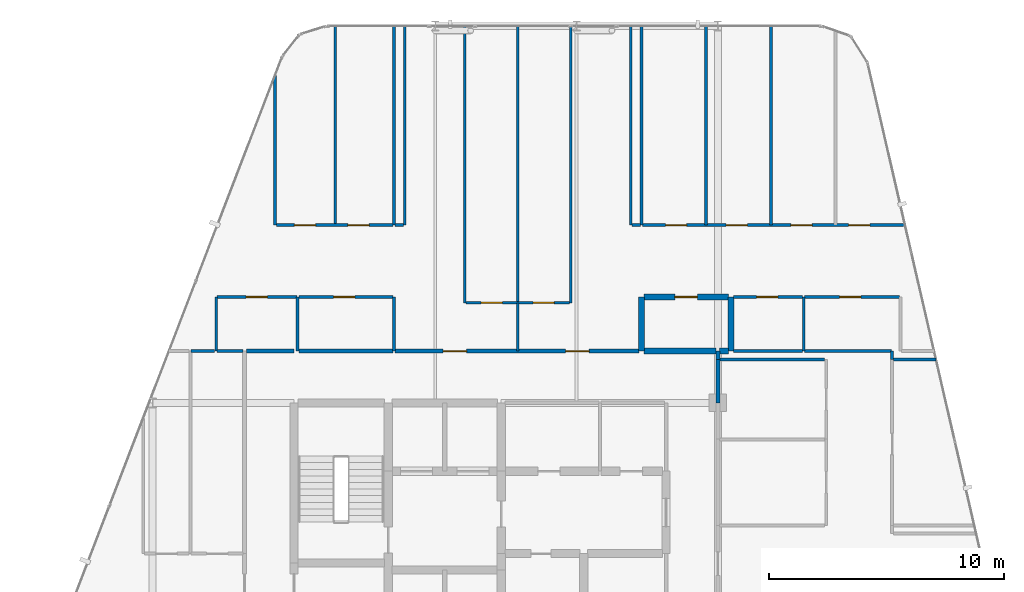
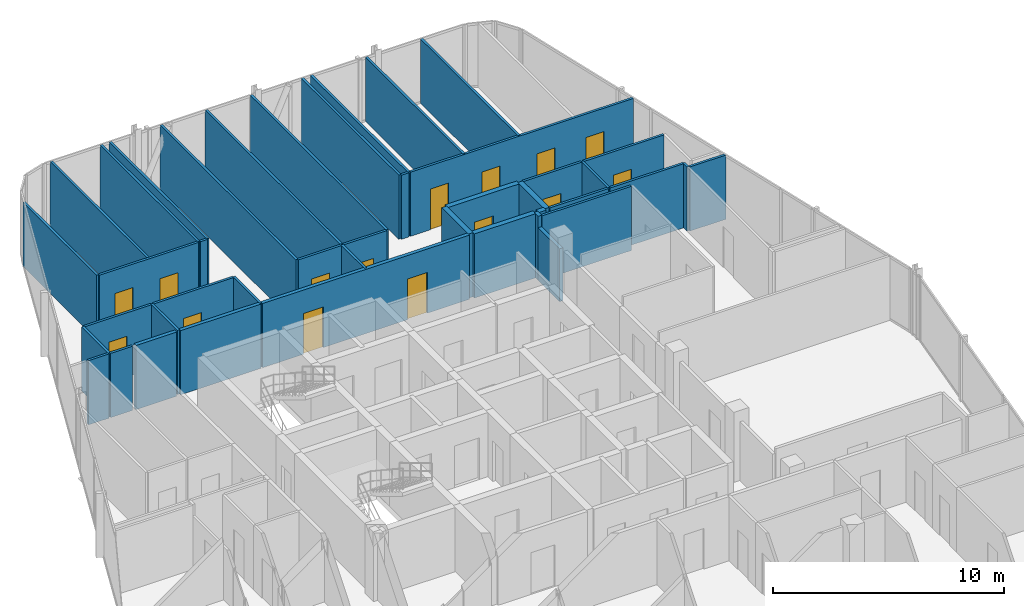
# One storey, part 26 of 28: 42 walls, 15 doors, 15 openings.
"""IFC4 building model written with IfcOpenShell, lengths in metres."""

from ifc_helpers import new_model, si_unit, direction, frame, frame_2d, origin, place, context, subcontext, project, spatial, rectangle, extrude, material, layer, layer_set, type_object, element, fill, save


model = new_model("IFC4")

# Units and contexts
model_context = context("Model", 3, precision=1e-05, world=origin(), true_north=direction((0.0, 1.0)))
body_context = subcontext(model_context, "Body", "Model", "MODEL_VIEW")
ifc_project = project(units=[si_unit("LENGTHUNIT", "METRE"), si_unit("AREAUNIT", "SQUARE_METRE"), si_unit("VOLUMEUNIT", "CUBIC_METRE"), si_unit("PLANEANGLEUNIT", "RADIAN"), si_unit("MASSUNIT", "GRAM", prefix="KILO")], contexts=[model_context])

# Site, building, storey
site_placement = place(None, origin())
site = spatial("IfcSite", under=ifc_project, at=site_placement, CompositionType="ELEMENT")
building_placement = place(site_placement, origin())
building = spatial("IfcBuilding", under=site, at=building_placement, Name="Keshet Zoharim Tower", CompositionType="ELEMENT")
storey_placement = place(building_placement, frame((0.0, 0.0, 251.0)))
storey = spatial("IfcBuildingStorey", under=building, at=storey_placement, Name="L62", CompositionType="ELEMENT", Elevation=251.0)

# Walls
ifc_material_1 = material(Name="Gypsum Plasterboard", Category="gypsum")
ifc_layer_1 = layer(ifc_material_1, 0.179931640625)
ifc_layer_set_1 = layer_set([ifc_layer_1], Name="Gypsum Plasterboard")
wall_type_1 = type_object("IfcWallType", Name="WL-CORR-180", PredefinedType="STANDARD", material=ifc_layer_set_1)
wall_1_placement = place(storey_placement, frame((33.0, 39.75, 0.0), z_axis=(0.0, 0.0, 1.0), x_axis=(0.0, 1.0, 0.0)))
element("IfcWall", 1, at=wall_1_placement, inside=storey, type_object=wall_type_1, Name="L62 Interior Wall 078", PredefinedType="STANDARD", context=body_context, shape_type="SweptSolid", body=[
    extrude(rectangle(XDim=0.35009765625, YDim=0.179931640625, at=frame_2d((0.175048828125, 0.0))), origin(), (0.0, 0.0, 1.0), 3.389892578125),
])
wall_2_placement = place(storey_placement, frame((12.97509765625, 40.10009765625, 0.0), z_axis=(0.0, 0.0, 1.0), x_axis=(1.0, 0.0, 0.0)))
element("IfcWall", 2, at=wall_2_placement, inside=storey, type_object=wall_type_1, Name="L62 Interior Wall 165", PredefinedType="STANDARD", context=body_context, shape_type="SweptSolid", body=[
    extrude(rectangle(XDim=2.02490234375, YDim=0.179931640625, at=frame_2d((1.012451171875, 0.0))), origin(), (0.0, 0.0, 1.0), 3.389892578125),
])
wall_3_placement = place(storey_placement, frame((15.20703125, 40.10009765625, 0.0), z_axis=(0.0, 0.0, 1.0), x_axis=(1.0, 0.0, 0.0)))
element("IfcWall", 3, at=wall_3_placement, inside=storey, type_object=wall_type_1, Name="L62 Interior Wall 166", PredefinedType="STANDARD", context=body_context, shape_type="SweptSolid", body=[
    extrude(rectangle(XDim=3.998046875, YDim=0.179931640625, at=frame_2d((1.9990234375, 0.0))), origin(), (0.0, 0.0, 1.0), 3.389892578125),
])

# Wall, openings, doors
wall_4_placement = place(storey_placement, frame((19.294921875, 40.10009765625, 0.0), z_axis=(0.0, 0.0, 1.0), x_axis=(1.0, 0.0, 0.0)))
wall_4 = element("IfcWall", 4, at=wall_4_placement, inside=storey, type_object=wall_type_1, Name="L62 Interior Wall 167", PredefinedType="STANDARD", context=body_context, shape_type="SweptSolid", body=[
    extrude(rectangle(XDim=10.344970703125, YDim=0.179931640625, at=frame_2d((5.17236328125, 0.0))), origin(), (0.0, 0.0, 1.0), 3.389892578125),
])
opening_1_placement = place(wall_4_placement, frame((2.034912109375, 0.0, 0.0)))
opening_1 = element("IfcOpeningElement", 5, at=opening_1_placement, cuts=wall_4, Name="Opening D-F310", PredefinedType="OPENING", context=body_context, shape_type="SweptSolid", body=[
    extrude(rectangle(XDim=1.0, YDim=2.14990234375, at=frame_2d((0.5, 1.074951171875))), frame((0.0, 0.10009765625, 0.0), z_axis=(0.0, -1.0, 0.0), x_axis=(1.0, 0.0, 0.0)), (0.0, 0.0, 1.0), 0.199951171875),
])
opening_2_placement = place(wall_4_placement, frame((7.235107421875, 0.0, 0.0)))
opening_2 = element("IfcOpeningElement", 6, at=opening_2_placement, cuts=wall_4, Name="Opening D-F310", PredefinedType="OPENING", context=body_context, shape_type="SweptSolid", body=[
    extrude(rectangle(XDim=1.0, YDim=2.14990234375, at=frame_2d((0.5, 1.074951171875))), frame((0.0, 0.10009765625, 0.0), z_axis=(0.0, -1.0, 0.0), x_axis=(1.0, 0.0, 0.0)), (0.0, 0.0, 1.0), 0.199951171875),
])
ifc_material_2 = material(Name="Hardwood Timber", Category="wood")
door_type_1 = type_object("IfcDoorType", Name="DR-FD30-100", OperationType="NOTDEFINED", PredefinedType="DOOR", material=ifc_material_2)
door_1_placement = place(opening_1_placement, origin())
door_1 = element("IfcDoor", 7, at=door_1_placement, inside=storey, type_object=door_type_1, Name="Apartment 6205 Entrance Door", OperationType="SINGLE_SWING_RIGHT", OverallHeight=2.14990234375, OverallWidth=1.0, PredefinedType="DOOR", context=body_context, shape_type="SweptSolid", body=[
    extrude(rectangle(XDim=1.0, YDim=2.14990234375, at=frame_2d((0.5, 1.074951171875))), frame((0.0, 0.02490234375, 0.0), z_axis=(0.0, -1.0, 0.0), x_axis=(1.0, 0.0, 0.0)), (0.0, 0.0, 1.0), 0.050048828125),
])
fill(opening_1, door_1)
door_2_placement = place(opening_2_placement, origin())
door_2 = element("IfcDoor", 8, at=door_2_placement, inside=storey, type_object=door_type_1, Name="Apartment 6206 Entrance Door", OperationType="SINGLE_SWING_LEFT", OverallHeight=2.14990234375, OverallWidth=1.0, PredefinedType="DOOR", context=body_context, shape_type="SweptSolid", body=[
    extrude(rectangle(XDim=1.0, YDim=2.14990234375, at=frame_2d((0.5, 1.074951171875))), frame((0.0, 0.02490234375, 0.0), z_axis=(0.0, -1.0, 0.0), x_axis=(1.0, 0.0, 0.0)), (0.0, 0.0, 1.0), 0.050048828125),
])
fill(opening_2, door_2)

# Walls
wall_5_placement = place(storey_placement, frame((33.0, 37.89990234375, 0.0), z_axis=(0.0, 0.0, 1.0), x_axis=(0.0, 1.0, 0.0)))
element("IfcWall", 9, at=wall_5_placement, inside=storey, type_object=wall_type_1, Name="L62 Interior Wall 077 Part 2", PredefinedType="STANDARD", context=body_context, shape_type="SweptSolid", body=[
    extrude(rectangle(XDim=1.85009765625, YDim=0.179931640625, at=frame_2d((0.925048828125, 0.0))), origin(), (0.0, 0.0, 1.0), 2.7900390625),
])
ifc_material_3 = material(Name="Concrete C50/60", Category="concrete")
ifc_layer_2 = layer(ifc_material_3, 0.25)
ifc_layer_set_2 = layer_set([ifc_layer_2], Name="Concrete C50/60")
wall_type_2 = type_object("IfcWallType", Name="WL-MAMAD-250", PredefinedType="STANDARD", material=ifc_layer_set_2)
for number, where, z_axis, x_axis, name in (
    (10, (29.75, 40.10009765625, 0.0), (0.0, 0.0, 1.0), (0.0, 1.0, 0.0), "L62 Interior Wall 065"),
    (11, (33.550048828125, 40.10009765625, 0.0), (0.0, 0.0, 1.0), (0.0, 1.0, 0.0), "L62 Interior Wall 079"),
):
    element("IfcWall", number, at=place(storey_placement, frame(where, z_axis=z_axis, x_axis=x_axis)), inside=storey, type_object=wall_type_2, Name=name, PredefinedType="STANDARD", context=body_context, shape_type="SweptSolid", body=[
        extrude(rectangle(XDim=2.2998046875, YDim=0.25, at=frame_2d((1.14990234375, 0.0))), origin(), (0.0, 0.0, 1.0), 3.389892578125),
    ])
wall_6_placement = place(storey_placement, frame((29.860107421875, 40.10009765625, 0.0), z_axis=(0.0, 0.0, 1.0), x_axis=(1.0, 0.0, 0.0)))
element("IfcWall", 12, at=wall_6_placement, inside=storey, type_object=wall_type_2, Name="L62 Interior Wall 168", PredefinedType="STANDARD", context=body_context, shape_type="SweptSolid", body=[
    extrude(rectangle(XDim=3.06494140625, YDim=0.25, at=frame_2d((1.532470703125, 0.0))), origin(), (0.0, 0.0, 1.0), 3.389892578125),
])
wall_7_placement = place(storey_placement, frame((33.074951171875, 40.10009765625, 0.0), z_axis=(0.0, 0.0, 1.0), x_axis=(1.0, 0.0, 0.0)))
element("IfcWall", 13, at=wall_7_placement, inside=storey, type_object=wall_type_2, Name="L62 Interior Wall 169", PredefinedType="STANDARD", context=body_context, shape_type="SweptSolid", body=[
    extrude(rectangle(XDim=0.37109375, YDim=0.25, at=frame_2d((0.185546875, 0.0))), origin(), (0.0, 0.0, 1.0), 3.389892578125),
])

# Wall, opening, door
wall_8_placement = place(storey_placement, frame((29.860107421875, 42.39990234375, 0.0), z_axis=(0.0, 0.0, 1.0), x_axis=(1.0, 0.0, 0.0)))
wall_8 = element("IfcWall", 14, at=wall_8_placement, inside=storey, type_object=wall_type_2, Name="L62 Interior Wall 176", PredefinedType="STANDARD", context=body_context, shape_type="SweptSolid", body=[
    extrude(rectangle(XDim=3.5859375, YDim=0.25, at=frame_2d((1.79296875, 0.0))), origin(), (0.0, 0.0, 1.0), 3.389892578125),
])
opening_3_placement = place(wall_8_placement, frame((1.318115234375, 0.0, 0.0)))
opening_3 = element("IfcOpeningElement", 15, at=opening_3_placement, cuts=wall_8, Name="Opening D-F695", PredefinedType="OPENING", context=body_context, shape_type="SweptSolid", body=[
    extrude(rectangle(XDim=0.949951171875, YDim=2.14990234375, at=frame_2d((0.47509765625, 1.074951171875))), frame((0.0, 0.135009765625, 0.0), z_axis=(0.0, -1.0, 0.0), x_axis=(1.0, 0.0, 0.0)), (0.0, 0.0, 1.0), 0.27001953125),
])
door_type_2 = type_object("IfcDoorType", Name="DR-FD60-095", OperationType="NOTDEFINED", PredefinedType="DOOR", material=ifc_material_2)
door_3_placement = place(opening_3_placement, origin())
door_3 = element("IfcDoor", 16, at=door_3_placement, inside=storey, type_object=door_type_2, Name="Apartment 6206 Study and Shelter Room Door", OperationType="SINGLE_SWING_RIGHT", OverallHeight=2.14990234375, OverallWidth=0.949951171875, PredefinedType="DOOR", context=body_context, shape_type="SweptSolid", body=[
    extrude(rectangle(XDim=0.949951171875, YDim=2.14990234375, at=frame_2d((0.47509765625, 1.074951171875))), frame((0.0, 0.02490234375, 0.0), z_axis=(0.0, -1.0, 0.0), x_axis=(1.0, 0.0, 0.0)), (0.0, 0.0, 1.0), 0.050048828125),
])
fill(opening_3, door_3)

# Walls
ifc_layer_3 = layer(ifc_material_1, 0.1201171875)
ifc_layer_set_3 = layer_set([ifc_layer_3], Name="Gypsum Plasterboard")
wall_type_3 = type_object("IfcWallType", Name="WL-PART-120", PredefinedType="PARTITIONING", material=ifc_layer_set_3)
wall_9_placement = place(storey_placement, frame((11.699951171875, 40.10009765625, 0.0), z_axis=(0.0, 0.0, 1.0), x_axis=(0.0, 1.0, 0.0)))
element("IfcWall", 17, at=wall_9_placement, inside=storey, type_object=wall_type_3, Name="L62 Interior Wall 009", PredefinedType="PARTITIONING", context=body_context, shape_type="SweptSolid", body=[
    extrude(rectangle(XDim=2.2998046875, YDim=0.1201171875, at=frame_2d((1.14990234375, 0.0))), origin(), (0.0, 0.0, 1.0), 3.389892578125),
])
wall_10_placement = place(storey_placement, frame((14.199951171875, 45.449951171875, 0.0), z_axis=(0.0, 0.0, 1.0), x_axis=(0.0, 1.0, 0.0)))
element("IfcWall", 18, at=wall_10_placement, inside=storey, type_object=wall_type_3, Name="L62 Interior Wall 019", PredefinedType="PARTITIONING", context=body_context, shape_type="SweptSolid", body=[
    extrude(rectangle(XDim=6.360107421875, YDim=0.1201171875, at=frame_2d((3.18017578125, 0.0))), origin(), (0.0, 0.0, 1.0), 3.389892578125),
])
for number, where, z_axis, x_axis, name in (
    (19, (16.75, 45.449951171875, 0.0), (0.0, 0.0, 1.0), (0.0, 1.0, 0.0), "L62 Interior Wall 025"),
    (20, (19.25, 45.449951171875, 0.0), (0.0, 0.0, 1.0), (0.0, 1.0, 0.0), "L62 Interior Wall 033"),
    (21, (19.699951171875, 45.449951171875, 0.0), (0.0, 0.0, 1.0), (0.0, 1.0, 0.0), "L62 Interior Wall 034"),
):
    element("IfcWall", number, at=place(storey_placement, frame(where, z_axis=z_axis, x_axis=x_axis)), inside=storey, type_object=wall_type_3, Name=name, PredefinedType="PARTITIONING", context=body_context, shape_type="SweptSolid", body=[
        extrude(rectangle(XDim=8.43994140625, YDim=0.1201171875, at=frame_2d((4.219970703125, 0.0))), origin(), (0.0, 0.0, 1.0), 3.389892578125),
    ])
wall_11_placement = place(storey_placement, frame((22.25, 42.14990234375, 0.0), z_axis=(0.0, 0.0, 1.0), x_axis=(0.0, 1.0, 0.0)))
element("IfcWall", 22, at=wall_11_placement, inside=storey, type_object=wall_type_3, Name="L62 Interior Wall 040", PredefinedType="PARTITIONING", context=body_context, shape_type="SweptSolid", body=[
    extrude(rectangle(XDim=11.739990234375, YDim=0.1201171875, at=frame_2d((5.8701171875, 0.0))), origin(), (0.0, 0.0, 1.0), 3.389892578125),
])
wall_12_placement = place(storey_placement, frame((24.5, 40.10009765625, 0.0), z_axis=(0.0, 0.0, 1.0), x_axis=(0.0, 1.0, 0.0)))
element("IfcWall", 23, at=wall_12_placement, inside=storey, type_object=wall_type_3, Name="L62 Interior Wall 048", PredefinedType="PARTITIONING", context=body_context, shape_type="SweptSolid", body=[
    extrude(rectangle(XDim=2.0498046875, YDim=0.1201171875, at=frame_2d((1.02490234375, 0.0))), origin(), (0.0, 0.0, 1.0), 3.389892578125),
])
for number, where, z_axis, x_axis, name in (
    (24, (24.5, 42.14990234375, 0.0), (0.0, 0.0, 1.0), (0.0, 1.0, 0.0), "L62 Interior Wall 049"),
    (25, (26.75, 42.14990234375, 0.0), (0.0, 0.0, 1.0), (0.0, 1.0, 0.0), "L62 Interior Wall 054"),
):
    element("IfcWall", number, at=place(storey_placement, frame(where, z_axis=z_axis, x_axis=x_axis)), inside=storey, type_object=wall_type_3, Name=name, PredefinedType="PARTITIONING", context=body_context, shape_type="SweptSolid", body=[
        extrude(rectangle(XDim=11.739990234375, YDim=0.1201171875, at=frame_2d((5.8701171875, 0.0))), origin(), (0.0, 0.0, 1.0), 3.389892578125),
    ])
for number, where, z_axis, x_axis, name in (
    (26, (29.300048828125, 45.449951171875, 0.0), (0.0, 0.0, 1.0), (0.0, 1.0, 0.0), "L62 Interior Wall 061"),
    (27, (29.75, 45.449951171875, 0.0), (0.0, 0.0, 1.0), (0.0, 1.0, 0.0), "L62 Interior Wall 066"),
    (28, (32.5, 45.449951171875, 0.0), (0.0, 0.0, 1.0), (0.0, 1.0, 0.0), "L62 Interior Wall 073"),
    (29, (35.25, 45.449951171875, 0.0), (0.0, 0.0, 1.0), (0.0, 1.0, 0.0), "L62 Interior Wall 083"),
):
    element("IfcWall", number, at=place(storey_placement, frame(where, z_axis=z_axis, x_axis=x_axis)), inside=storey, type_object=wall_type_3, Name=name, PredefinedType="PARTITIONING", context=body_context, shape_type="SweptSolid", body=[
        extrude(rectangle(XDim=8.43994140625, YDim=0.1201171875, at=frame_2d((4.219970703125, 0.0))), origin(), (0.0, 0.0, 1.0), 3.389892578125),
    ])
wall_13_placement = place(storey_placement, frame((40.39990234375, 39.75, 0.0), z_axis=(0.0, 0.0, 1.0), x_axis=(0.0, 1.0, 0.0)))
element("IfcWall", 30, at=wall_13_placement, inside=storey, type_object=wall_type_3, Name="L62 Interior Wall 093", PredefinedType="PARTITIONING", context=body_context, shape_type="SweptSolid", body=[
    extrude(rectangle(XDim=0.35009765625, YDim=0.1201171875, at=frame_2d((0.175048828125, 0.0))), origin(), (0.0, 0.0, 1.0), 3.389892578125),
])
wall_14_placement = place(storey_placement, frame((40.465087890625, 39.75, 0.0), z_axis=(0.0, 0.0, 1.0), x_axis=(1.0, 0.0, 0.0)))
element("IfcWall", 31, at=wall_14_placement, inside=storey, type_object=wall_type_3, Name="L62 Interior Wall 161", PredefinedType="PARTITIONING", context=body_context, shape_type="SweptSolid", body=[
    extrude(rectangle(XDim=1.789794921875, YDim=0.1201171875, at=frame_2d((0.89501953125, 0.0))), origin(), (0.0, 0.0, 1.0), 3.389892578125),
])
wall_15_placement = place(storey_placement, frame((36.680908203125, 40.10009765625, 0.0), z_axis=(0.0, 0.0, 1.0), x_axis=(1.0, 0.0, 0.0)))
element("IfcWall", 32, at=wall_15_placement, inside=storey, type_object=wall_type_3, Name="L62 Interior Wall 171", PredefinedType="PARTITIONING", context=body_context, shape_type="SweptSolid", body=[
    extrude(rectangle(XDim=3.694091796875, YDim=0.1201171875, at=frame_2d((1.84716796875, 0.0))), origin(), (0.0, 0.0, 1.0), 3.389892578125),
])

# Wall, openings, doors
wall_16_placement = place(storey_placement, frame((22.294921875, 42.14990234375, 0.0), z_axis=(0.0, 0.0, 1.0), x_axis=(1.0, 0.0, 0.0)))
wall_16 = element("IfcWall", 33, at=wall_16_placement, inside=storey, type_object=wall_type_3, Name="L62 Interior Wall 173", PredefinedType="PARTITIONING", context=body_context, shape_type="SweptSolid", body=[
    extrude(rectangle(XDim=4.41015625, YDim=0.1201171875, at=frame_2d((2.205078125, 0.0))), origin(), (0.0, 0.0, 1.0), 3.389892578125),
])
opening_4_placement = place(wall_16_placement, frame((0.655029296875, 0.0, 0.0)))
opening_4 = element("IfcOpeningElement", 34, at=opening_4_placement, cuts=wall_16, Name="Opening D-IN90", PredefinedType="OPENING", context=body_context, shape_type="SweptSolid", body=[
    extrude(rectangle(XDim=0.89990234375, YDim=2.14990234375, at=frame_2d((0.449951171875, 1.074951171875))), frame((0.0, 0.070068359375, 0.0), z_axis=(0.0, -1.0, 0.0), x_axis=(1.0, 0.0, 0.0)), (0.0, 0.0, 1.0), 0.14013671875),
])
opening_5_placement = place(wall_16_placement, frame((2.85498046875, 0.0, 0.0)))
opening_5 = element("IfcOpeningElement", 35, at=opening_5_placement, cuts=wall_16, Name="Opening D-IN90", PredefinedType="OPENING", context=body_context, shape_type="SweptSolid", body=[
    extrude(rectangle(XDim=0.89990234375, YDim=2.14990234375, at=frame_2d((0.449951171875, 1.074951171875))), frame((0.0, 0.070068359375, 0.0), z_axis=(0.0, -1.0, 0.0), x_axis=(1.0, 0.0, 0.0)), (0.0, 0.0, 1.0), 0.14013671875),
])
door_type_3 = type_object("IfcDoorType", Name="DR-INT-090", OperationType="NOTDEFINED", PredefinedType="DOOR", material=ifc_material_2)
door_4_placement = place(opening_4_placement, origin())
door_4 = element("IfcDoor", 36, at=door_4_placement, inside=storey, type_object=door_type_3, Name="Apartment 6205 Formal Dining Room Door", OperationType="SINGLE_SWING_RIGHT", OverallHeight=2.14990234375, OverallWidth=0.89990234375, PredefinedType="DOOR", context=body_context, shape_type="SweptSolid", body=[
    extrude(rectangle(XDim=0.89990234375, YDim=2.14990234375, at=frame_2d((0.449951171875, 1.074951171875))), frame((0.0, 0.02490234375, 0.0), z_axis=(0.0, -1.0, 0.0), x_axis=(1.0, 0.0, 0.0)), (0.0, 0.0, 1.0), 0.050048828125),
])
fill(opening_4, door_4)
door_5_placement = place(opening_5_placement, origin())
door_5 = element("IfcDoor", 37, at=door_5_placement, inside=storey, type_object=door_type_3, Name="Apartment 6206 Formal Dining Room Door", OperationType="SINGLE_SWING_LEFT", OverallHeight=2.14990234375, OverallWidth=0.89990234375, PredefinedType="DOOR", context=body_context, shape_type="SweptSolid", body=[
    extrude(rectangle(XDim=0.89990234375, YDim=2.14990234375, at=frame_2d((0.449951171875, 1.074951171875))), frame((0.0, 0.02490234375, 0.0), z_axis=(0.0, -1.0, 0.0), x_axis=(1.0, 0.0, 0.0)), (0.0, 0.0, 1.0), 0.050048828125),
])
fill(opening_5, door_5)

# Wall, opening, door
wall_17_placement = place(storey_placement, frame((11.72412109375, 42.39990234375, 0.0), z_axis=(0.0, 0.0, 1.0), x_axis=(1.0, 0.0, 0.0)))
wall_17 = element("IfcWall", 38, at=wall_17_placement, inside=storey, type_object=wall_type_3, Name="L62 Interior Wall 174", PredefinedType="PARTITIONING", context=body_context, shape_type="SweptSolid", body=[
    extrude(rectangle(XDim=3.392822265625, YDim=0.1201171875, at=frame_2d((1.6962890625, 0.0))), origin(), (0.0, 0.0, 1.0), 3.389892578125),
])
opening_6_placement = place(wall_17_placement, frame((1.2470703125, 0.0, 0.0)))
opening_6 = element("IfcOpeningElement", 39, at=opening_6_placement, cuts=wall_17, Name="Opening D-IN90", PredefinedType="OPENING", context=body_context, shape_type="SweptSolid", body=[
    extrude(rectangle(XDim=0.89990234375, YDim=2.14990234375, at=frame_2d((0.449951171875, 1.074951171875))), frame((0.0, 0.070068359375, 0.0), z_axis=(0.0, -1.0, 0.0), x_axis=(1.0, 0.0, 0.0)), (0.0, 0.0, 1.0), 0.14013671875),
])
door_6_placement = place(opening_6_placement, origin())
door_6 = element("IfcDoor", 40, at=door_6_placement, inside=storey, type_object=door_type_3, Name="Apartment 6205 Kitchen Door", OperationType="SINGLE_SWING_RIGHT", OverallHeight=2.14990234375, OverallWidth=0.89990234375, PredefinedType="DOOR", context=body_context, shape_type="SweptSolid", body=[
    extrude(rectangle(XDim=0.89990234375, YDim=2.14990234375, at=frame_2d((0.449951171875, 1.074951171875))), frame((0.0, 0.02490234375, 0.0), z_axis=(0.0, -1.0, 0.0), x_axis=(1.0, 0.0, 0.0)), (0.0, 0.0, 1.0), 0.050048828125),
])
fill(opening_6, door_6)

wall_18_placement = place(storey_placement, frame((36.680908203125, 42.39990234375, 0.0), z_axis=(0.0, 0.0, 1.0), x_axis=(1.0, 0.0, 0.0)))
wall_18 = element("IfcWall", 41, at=wall_18_placement, inside=storey, type_object=wall_type_3, Name="L62 Interior Wall 178", PredefinedType="PARTITIONING", context=body_context, shape_type="SweptSolid", body=[
    extrude(rectangle(XDim=4.025146484375, YDim=0.1201171875, at=frame_2d((2.0126953125, 0.0))), origin(), (0.0, 0.0, 1.0), 3.389892578125),
])
opening_7_placement = place(wall_18_placement, frame((1.490966796875, 0.0, 0.0)))
opening_7 = element("IfcOpeningElement", 42, at=opening_7_placement, cuts=wall_18, Name="Opening D-IN90", PredefinedType="OPENING", context=body_context, shape_type="SweptSolid", body=[
    extrude(rectangle(XDim=0.89990234375, YDim=2.14990234375, at=frame_2d((0.449951171875, 1.074951171875))), frame((0.0, 0.070068359375, 0.0), z_axis=(0.0, -1.0, 0.0), x_axis=(1.0, 0.0, 0.0)), (0.0, 0.0, 1.0), 0.14013671875),
])
door_7_placement = place(opening_7_placement, origin())
door_7 = element("IfcDoor", 43, at=door_7_placement, inside=storey, type_object=door_type_3, Name="Apartment 6206 Kitchen Door", OperationType="SINGLE_SWING_RIGHT", OverallHeight=2.14990234375, OverallWidth=0.89990234375, PredefinedType="DOOR", context=body_context, shape_type="SweptSolid", body=[
    extrude(rectangle(XDim=0.89990234375, YDim=2.14990234375, at=frame_2d((0.449951171875, 1.074951171875))), frame((0.0, 0.02490234375, 0.0), z_axis=(0.0, -1.0, 0.0), x_axis=(1.0, 0.0, 0.0)), (0.0, 0.0, 1.0), 0.050048828125),
])
fill(opening_7, door_7)

# Wall, openings, doors
wall_19_placement = place(storey_placement, frame((14.248046875, 45.449951171875, 0.0), z_axis=(0.0, 0.0, 1.0), x_axis=(1.0, 0.0, 0.0)))
wall_19 = element("IfcWall", 44, at=wall_19_placement, inside=storey, type_object=wall_type_3, Name="L62 Interior Wall 179", PredefinedType="PARTITIONING", context=body_context, shape_type="SweptSolid", body=[
    extrude(rectangle(XDim=4.95703125, YDim=0.1201171875, at=frame_2d((2.478515625, 0.0))), origin(), (0.0, 0.0, 1.0), 3.389892578125),
])
opening_8_placement = place(wall_19_placement, frame((0.77099609375, 0.0, 0.0)))
opening_8 = element("IfcOpeningElement", 45, at=opening_8_placement, cuts=wall_19, Name="Opening D-IN90", PredefinedType="OPENING", context=body_context, shape_type="SweptSolid", body=[
    extrude(rectangle(XDim=0.89990234375, YDim=2.14990234375, at=frame_2d((0.449951171875, 1.074951171875))), frame((0.0, 0.070068359375, 0.0), z_axis=(0.0, -1.0, 0.0), x_axis=(1.0, 0.0, 0.0)), (0.0, 0.0, 1.0), 0.14013671875),
])
opening_9_placement = place(wall_19_placement, frame((3.0400390625, 0.0, 0.0)))
opening_9 = element("IfcOpeningElement", 46, at=opening_9_placement, cuts=wall_19, Name="Opening D-IN90", PredefinedType="OPENING", context=body_context, shape_type="SweptSolid", body=[
    extrude(rectangle(XDim=0.89990234375, YDim=2.14990234375, at=frame_2d((0.449951171875, 1.074951171875))), frame((0.0, 0.070068359375, 0.0), z_axis=(0.0, -1.0, 0.0), x_axis=(1.0, 0.0, 0.0)), (0.0, 0.0, 1.0), 0.14013671875),
])
door_8_placement = place(opening_8_placement, origin())
door_8 = element("IfcDoor", 47, at=door_8_placement, inside=storey, type_object=door_type_3, Name="Apartment 6205 Bedroom 2 Door", OperationType="SINGLE_SWING_LEFT", OverallHeight=2.14990234375, OverallWidth=0.89990234375, PredefinedType="DOOR", context=body_context, shape_type="SweptSolid", body=[
    extrude(rectangle(XDim=0.89990234375, YDim=2.14990234375, at=frame_2d((0.449951171875, 1.074951171875))), frame((0.0, 0.02490234375, 0.0), z_axis=(0.0, -1.0, 0.0), x_axis=(1.0, 0.0, 0.0)), (0.0, 0.0, 1.0), 0.050048828125),
])
fill(opening_8, door_8)
door_9_placement = place(opening_9_placement, origin())
door_9 = element("IfcDoor", 48, at=door_9_placement, inside=storey, type_object=door_type_3, Name="Apartment 6205 Bedroom 3 Door", OperationType="SINGLE_SWING_RIGHT", OverallHeight=2.14990234375, OverallWidth=0.89990234375, PredefinedType="DOOR", context=body_context, shape_type="SweptSolid", body=[
    extrude(rectangle(XDim=0.89990234375, YDim=2.14990234375, at=frame_2d((0.449951171875, 1.074951171875))), frame((0.0, 0.02490234375, 0.0), z_axis=(0.0, -1.0, 0.0), x_axis=(1.0, 0.0, 0.0)), (0.0, 0.0, 1.0), 0.050048828125),
])
fill(opening_9, door_9)

# Walls
for number, where, z_axis, x_axis, name in (
    (49, (19.294921875, 45.449951171875, 0.0), (0.0, 0.0, 1.0), (1.0, 0.0, 0.0), "L62 Interior Wall 180"),
    (50, (29.344970703125, 45.449951171875, 0.0), (0.0, 0.0, 1.0), (1.0, 0.0, 0.0), "L62 Interior Wall 181"),
):
    element("IfcWall", number, at=place(storey_placement, frame(where, z_axis=z_axis, x_axis=x_axis)), inside=storey, type_object=wall_type_3, Name=name, PredefinedType="PARTITIONING", context=body_context, shape_type="SweptSolid", body=[
        extrude(rectangle(XDim=0.360107421875, YDim=0.1201171875, at=frame_2d((0.18017578125, 0.0))), origin(), (0.0, 0.0, 1.0), 3.389892578125),
    ])

# Wall, openings, doors
wall_20_placement = place(storey_placement, frame((29.794921875, 45.449951171875, 0.0), z_axis=(0.0, 0.0, 1.0), x_axis=(1.0, 0.0, 0.0)))
wall_20 = element("IfcWall", 51, at=wall_20_placement, inside=storey, type_object=wall_type_3, Name="L62 Interior Wall 182", PredefinedType="PARTITIONING", context=body_context, shape_type="SweptSolid", body=[
    extrude(rectangle(XDim=11.14501953125, YDim=0.1201171875, at=frame_2d((5.572509765625, 0.0))), origin(), (0.0, 0.0, 1.0), 3.389892578125),
])
opening_10_placement = place(wall_20_placement, frame((0.98291015625, 0.0, 0.0)))
opening_10 = element("IfcOpeningElement", 52, at=opening_10_placement, cuts=wall_20, Name="Opening D-IN90", PredefinedType="OPENING", context=body_context, shape_type="SweptSolid", body=[
    extrude(rectangle(XDim=0.89990234375, YDim=2.14990234375, at=frame_2d((0.449951171875, 1.074951171875))), frame((0.0, 0.070068359375, 0.0), z_axis=(0.0, -1.0, 0.0), x_axis=(1.0, 0.0, 0.0)), (0.0, 0.0, 1.0), 0.14013671875),
])
opening_11_placement = place(wall_20_placement, frame((3.555908203125, 0.0, 0.0)))
opening_11 = element("IfcOpeningElement", 53, at=opening_11_placement, cuts=wall_20, Name="Opening D-IN90", PredefinedType="OPENING", context=body_context, shape_type="SweptSolid", body=[
    extrude(rectangle(XDim=0.89990234375, YDim=2.14990234375, at=frame_2d((0.449951171875, 1.074951171875))), frame((0.0, 0.070068359375, 0.0), z_axis=(0.0, -1.0, 0.0), x_axis=(1.0, 0.0, 0.0)), (0.0, 0.0, 1.0), 0.14013671875),
])
opening_12_placement = place(wall_20_placement, frame((6.306884765625, 0.0, 0.0)))
opening_12 = element("IfcOpeningElement", 54, at=opening_12_placement, cuts=wall_20, Name="Opening D-IN90", PredefinedType="OPENING", context=body_context, shape_type="SweptSolid", body=[
    extrude(rectangle(XDim=0.89990234375, YDim=2.14990234375, at=frame_2d((0.449951171875, 1.074951171875))), frame((0.0, 0.070068359375, 0.0), z_axis=(0.0, -1.0, 0.0), x_axis=(1.0, 0.0, 0.0)), (0.0, 0.0, 1.0), 0.14013671875),
])
opening_13_placement = place(wall_20_placement, frame((8.7548828125, 0.0, 0.0)))
opening_13 = element("IfcOpeningElement", 55, at=opening_13_placement, cuts=wall_20, Name="Opening D-IN90", PredefinedType="OPENING", context=body_context, shape_type="SweptSolid", body=[
    extrude(rectangle(XDim=0.89990234375, YDim=2.14990234375, at=frame_2d((0.449951171875, 1.074951171875))), frame((0.0, 0.070068359375, 0.0), z_axis=(0.0, -1.0, 0.0), x_axis=(1.0, 0.0, 0.0)), (0.0, 0.0, 1.0), 0.14013671875),
])
door_10_placement = place(opening_10_placement, origin())
door_10 = element("IfcDoor", 56, at=door_10_placement, inside=storey, type_object=door_type_3, Name="Apartment 6206 Bedroom 1 Door", OperationType="SINGLE_SWING_LEFT", OverallHeight=2.14990234375, OverallWidth=0.89990234375, PredefinedType="DOOR", context=body_context, shape_type="SweptSolid", body=[
    extrude(rectangle(XDim=0.89990234375, YDim=2.14990234375, at=frame_2d((0.449951171875, 1.074951171875))), frame((0.0, 0.02490234375, 0.0), z_axis=(0.0, -1.0, 0.0), x_axis=(1.0, 0.0, 0.0)), (0.0, 0.0, 1.0), 0.050048828125),
])
fill(opening_10, door_10)
door_11_placement = place(opening_11_placement, origin())
door_11 = element("IfcDoor", 57, at=door_11_placement, inside=storey, type_object=door_type_3, Name="Apartment 6206 Bedroom 2 Door", OperationType="SINGLE_SWING_RIGHT", OverallHeight=2.14990234375, OverallWidth=0.89990234375, PredefinedType="DOOR", context=body_context, shape_type="SweptSolid", body=[
    extrude(rectangle(XDim=0.89990234375, YDim=2.14990234375, at=frame_2d((0.449951171875, 1.074951171875))), frame((0.0, 0.02490234375, 0.0), z_axis=(0.0, -1.0, 0.0), x_axis=(1.0, 0.0, 0.0)), (0.0, 0.0, 1.0), 0.050048828125),
])
fill(opening_11, door_11)
door_12_placement = place(opening_12_placement, origin())
door_12 = element("IfcDoor", 58, at=door_12_placement, inside=storey, type_object=door_type_3, Name="Apartment 6206 Bedroom 3 Door", OperationType="SINGLE_SWING_LEFT", OverallHeight=2.14990234375, OverallWidth=0.89990234375, PredefinedType="DOOR", context=body_context, shape_type="SweptSolid", body=[
    extrude(rectangle(XDim=0.89990234375, YDim=2.14990234375, at=frame_2d((0.449951171875, 1.074951171875))), frame((0.0, 0.02490234375, 0.0), z_axis=(0.0, -1.0, 0.0), x_axis=(1.0, 0.0, 0.0)), (0.0, 0.0, 1.0), 0.050048828125),
])
fill(opening_12, door_12)
door_13_placement = place(opening_13_placement, origin())
door_13 = element("IfcDoor", 59, at=door_13_placement, inside=storey, type_object=door_type_3, Name="Apartment 6206 Bedroom 4 Door", OperationType="SINGLE_SWING_RIGHT", OverallHeight=2.14990234375, OverallWidth=0.89990234375, PredefinedType="DOOR", context=body_context, shape_type="SweptSolid", body=[
    extrude(rectangle(XDim=0.89990234375, YDim=2.14990234375, at=frame_2d((0.449951171875, 1.074951171875))), frame((0.0, 0.02490234375, 0.0), z_axis=(0.0, -1.0, 0.0), x_axis=(1.0, 0.0, 0.0)), (0.0, 0.0, 1.0), 0.050048828125),
])
fill(opening_13, door_13)

# Walls
ifc_layer_4 = layer(ifc_material_1, 0.1201171875)
ifc_layer_set_4 = layer_set([ifc_layer_4], Name="Gypsum Plasterboard")
wall_type_4 = type_object("IfcWallType", Name="WL-WET-120", PredefinedType="PARTITIONING", material=ifc_layer_set_4)
for number, where, z_axis, x_axis, name in (
    (60, (15.14990234375, 40.10009765625, 0.0), (0.0, 0.0, 1.0), (0.0, 1.0, 0.0), "L62 Interior Wall 024"),
    (61, (19.25, 40.10009765625, 0.0), (0.0, 0.0, 1.0), (0.0, 1.0, 0.0), "L62 Interior Wall 032"),
    (62, (36.64990234375, 40.10009765625, 0.0), (0.0, 0.0, 1.0), (0.0, 1.0, 0.0), "L62 Interior Wall 084"),
):
    element("IfcWall", number, at=place(storey_placement, frame(where, z_axis=z_axis, x_axis=x_axis)), inside=storey, type_object=wall_type_4, Name=name, PredefinedType="PARTITIONING", context=body_context, shape_type="SweptSolid", body=[
        extrude(rectangle(XDim=2.2998046875, YDim=0.1201171875, at=frame_2d((1.14990234375, 0.0))), origin(), (0.0, 0.0, 1.0), 3.389892578125),
    ])
wall_21_placement = place(storey_placement, frame((33.074951171875, 39.75, 0.0), z_axis=(0.0, 0.0, 1.0), x_axis=(1.0, 0.0, 0.0)))
element("IfcWall", 63, at=wall_21_placement, inside=storey, type_object=wall_type_4, Name="L62 Interior Wall 160", PredefinedType="PARTITIONING", context=body_context, shape_type="SweptSolid", body=[
    extrude(rectangle(XDim=4.4599609375, YDim=0.1201171875, at=frame_2d((2.22998046875, 0.0))), origin(), (0.0, 0.0, 1.0), 3.389892578125),
])
wall_22_placement = place(storey_placement, frame((10.623046875, 40.10009765625, 0.0), z_axis=(0.0, 0.0, 1.0), x_axis=(1.0, 0.0, 0.0)))
element("IfcWall", 64, at=wall_22_placement, inside=storey, type_object=wall_type_4, Name="L62 Interior Wall 163", PredefinedType="PARTITIONING", context=body_context, shape_type="SweptSolid", body=[
    extrude(rectangle(XDim=1.010986328125, YDim=0.1201171875, at=frame_2d((0.50537109375, 0.0))), origin(), (0.0, 0.0, 1.0), 3.389892578125),
])
wall_23_placement = place(storey_placement, frame((11.72412109375, 40.10009765625, 0.0), z_axis=(0.0, 0.0, 1.0), x_axis=(1.0, 0.0, 0.0)))
element("IfcWall", 65, at=wall_23_placement, inside=storey, type_object=wall_type_4, Name="L62 Interior Wall 164", PredefinedType="PARTITIONING", context=body_context, shape_type="SweptSolid", body=[
    extrude(rectangle(XDim=1.100830078125, YDim=0.1201171875, at=frame_2d((0.55029296875, 0.0))), origin(), (0.0, 0.0, 1.0), 3.389892578125),
])
wall_24_placement = place(storey_placement, frame((33.666015625, 40.10009765625, 0.0), z_axis=(0.0, 0.0, 1.0), x_axis=(1.0, 0.0, 0.0)))
element("IfcWall", 66, at=wall_24_placement, inside=storey, type_object=wall_type_4, Name="L62 Interior Wall 170", PredefinedType="PARTITIONING", context=body_context, shape_type="SweptSolid", body=[
    extrude(rectangle(XDim=2.925048828125, YDim=0.1201171875, at=frame_2d((1.46240234375, 0.0))), origin(), (0.0, 0.0, 1.0), 3.389892578125),
])

# Wall, opening, door
wall_25_placement = place(storey_placement, frame((15.20703125, 42.39990234375, 0.0), z_axis=(0.0, 0.0, 1.0), x_axis=(1.0, 0.0, 0.0)))
wall_25 = element("IfcWall", 67, at=wall_25_placement, inside=storey, type_object=wall_type_4, Name="L62 Interior Wall 175", PredefinedType="PARTITIONING", context=body_context, shape_type="SweptSolid", body=[
    extrude(rectangle(XDim=3.998046875, YDim=0.1201171875, at=frame_2d((1.9990234375, 0.0))), origin(), (0.0, 0.0, 1.0), 3.389892578125),
])
opening_14_placement = place(wall_25_placement, frame((1.47802734375, 0.0, 0.0)))
opening_14 = element("IfcOpeningElement", 68, at=opening_14_placement, cuts=wall_25, Name="Opening D-WT90", PredefinedType="OPENING", context=body_context, shape_type="SweptSolid", body=[
    extrude(rectangle(XDim=0.89990234375, YDim=2.10009765625, at=frame_2d((0.449951171875, 1.050048828125))), frame((0.0, 0.070068359375, 0.0), z_axis=(0.0, -1.0, 0.0), x_axis=(1.0, 0.0, 0.0)), (0.0, 0.0, 1.0), 0.14013671875),
])
door_type_4 = type_object("IfcDoorType", Name="DR-WET-090", OperationType="NOTDEFINED", PredefinedType="DOOR", material=ifc_material_2)
door_14_placement = place(opening_14_placement, origin())
door_14 = element("IfcDoor", 69, at=door_14_placement, inside=storey, type_object=door_type_4, Name="Apartment 6205 Bathroom Door", OperationType="SINGLE_SWING_LEFT", OverallHeight=2.10009765625, OverallWidth=0.89990234375, PredefinedType="DOOR", context=body_context, shape_type="SweptSolid", body=[
    extrude(rectangle(XDim=0.89990234375, YDim=2.10009765625, at=frame_2d((0.449951171875, 1.050048828125))), frame((0.0, 0.02490234375, 0.0), z_axis=(0.0, -1.0, 0.0), x_axis=(1.0, 0.0, 0.0)), (0.0, 0.0, 1.0), 0.050048828125),
])
fill(opening_14, door_14)

wall_26_placement = place(storey_placement, frame((33.666015625, 42.39990234375, 0.0), z_axis=(0.0, 0.0, 1.0), x_axis=(1.0, 0.0, 0.0)))
wall_26 = element("IfcWall", 70, at=wall_26_placement, inside=storey, type_object=wall_type_4, Name="L62 Interior Wall 177", PredefinedType="PARTITIONING", context=body_context, shape_type="SweptSolid", body=[
    extrude(rectangle(XDim=2.925048828125, YDim=0.1201171875, at=frame_2d((1.46240234375, 0.0))), origin(), (0.0, 0.0, 1.0), 3.389892578125),
])
opening_15_placement = place(wall_26_placement, frame((0.97998046875, 0.0, 0.0)))
opening_15 = element("IfcOpeningElement", 71, at=opening_15_placement, cuts=wall_26, Name="Opening D-WT90", PredefinedType="OPENING", context=body_context, shape_type="SweptSolid", body=[
    extrude(rectangle(XDim=0.89990234375, YDim=2.10009765625, at=frame_2d((0.449951171875, 1.050048828125))), frame((0.0, 0.070068359375, 0.0), z_axis=(0.0, -1.0, 0.0), x_axis=(1.0, 0.0, 0.0)), (0.0, 0.0, 1.0), 0.14013671875),
])
door_15_placement = place(opening_15_placement, origin())
door_15 = element("IfcDoor", 72, at=door_15_placement, inside=storey, type_object=door_type_4, Name="Apartment 6206 Bathroom Door", OperationType="SINGLE_SWING_LEFT", OverallHeight=2.10009765625, OverallWidth=0.89990234375, PredefinedType="DOOR", context=body_context, shape_type="SweptSolid", body=[
    extrude(rectangle(XDim=0.89990234375, YDim=2.10009765625, at=frame_2d((0.449951171875, 1.050048828125))), frame((0.0, 0.02490234375, 0.0), z_axis=(0.0, -1.0, 0.0), x_axis=(1.0, 0.0, 0.0)), (0.0, 0.0, 1.0), 0.050048828125),
])
fill(opening_15, door_15)

save(model, "model.ifc")
